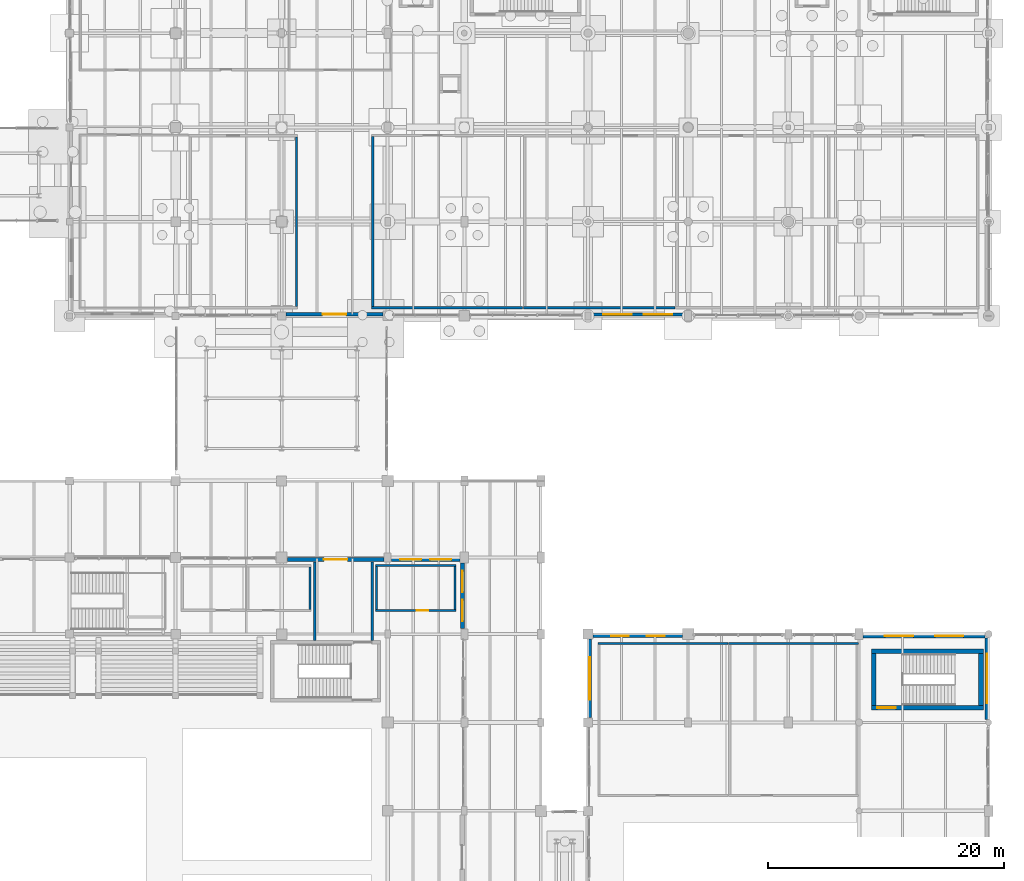
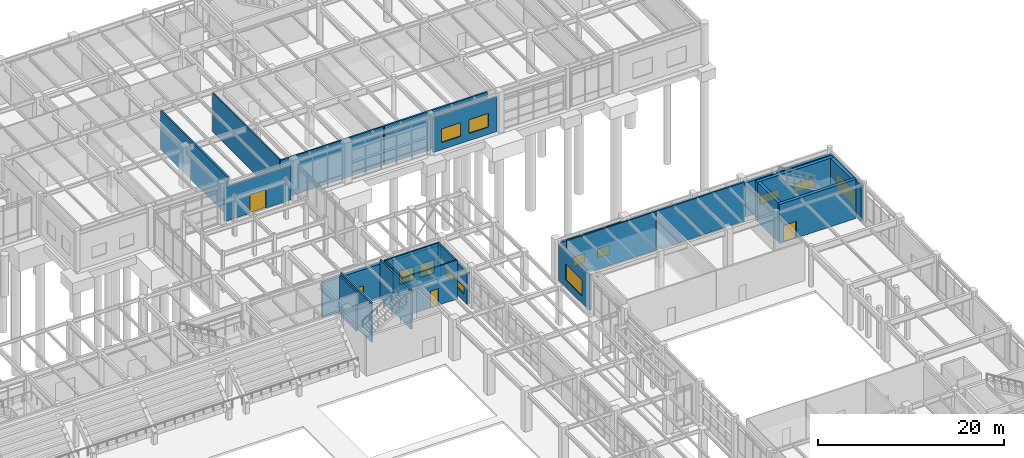
# One storey, part 181 of 203: 26 walls, 12 windows, 4 doors, 16 openings.
"""IFC4 building model written with IfcOpenShell, lengths in metres."""

from ifc_helpers import new_model, si_unit, direction, frame, frame_2d, origin, place, context, subcontext, project, spatial, rectangle, extrude, material, layer, layer_set, type_object, element, fill, save


model = new_model("IFC4")

# Units and contexts
model_context = context("Model", 3, precision=1e-05, world=origin(), true_north=direction((0.0, 1.0)))
body_context = subcontext(model_context, "Body", "Model", "MODEL_VIEW")
ifc_project = project(units=[si_unit("LENGTHUNIT", "METRE"), si_unit("AREAUNIT", "SQUARE_METRE"), si_unit("VOLUMEUNIT", "CUBIC_METRE"), si_unit("PLANEANGLEUNIT", "RADIAN"), si_unit("MASSUNIT", "GRAM", prefix="KILO"), si_unit("THERMODYNAMICTEMPERATUREUNIT", "KELVIN"), si_unit("POWERUNIT", "WATT")], contexts=[model_context])

# Site, building, storey
site_placement = place(None, origin())
site = spatial("IfcSite", under=ifc_project, at=site_placement, CompositionType="ELEMENT")
building_placement = place(site_placement, origin())
building = spatial("IfcBuilding", under=site, at=building_placement, Name="Tepalcoro Natatorium and Aquatics Centre", CompositionType="ELEMENT")
storey_placement = place(building_placement, origin())
storey = spatial("IfcBuildingStorey", under=building, at=storey_placement, Name="L00", CompositionType="ELEMENT", Elevation=0.0)

# Wall, openings, windows
ifc_material_1 = material(Name="Precast Concrete C45/55 (fc 45 MPa)", Category="concrete")
ifc_layer_1 = layer(ifc_material_1, 0.260009765625)
ifc_layer_set_1 = layer_set([ifc_layer_1], Name="Precast Concrete C45/55 (fc 45 MPa)")
wall_type_1 = type_object("IfcWallType", Name="WL_EXT_GABLE_260", PredefinedType="SOLIDWALL", material=ifc_layer_set_1)
wall_1_placement = place(storey_placement, frame((142.25390625, 86.1298828125, 0.0), z_axis=(0.0, 0.0, 1.0), x_axis=(1.0, 0.0, 0.0)))
wall_1 = element("IfcWall", 1, at=wall_1_placement, inside=storey, type_object=wall_type_1, Name="V5 L00 S Volcanic Basalt Envelope Wall", PredefinedType="SOLIDWALL", context=body_context, shape_type="SweptSolid", body=[
    extrude(rectangle(XDim=7.942138671875, YDim=0.260009765625, at=frame_2d((3.97119140625, 0.0))), origin(), (0.0, 0.0, 1.0), 4.573974609375),
])
opening_1_placement = place(wall_1_placement, frame((1.04736328125, 0.0, 0.949951171875)))
opening_1 = element("IfcOpeningElement", 2, at=opening_1_placement, cuts=wall_1, Name="Opening W0084A", PredefinedType="OPENING", context=body_context, shape_type="SweptSolid", body=[
    extrude(rectangle(XDim=2.39990234375, YDim=1.800048828125, at=frame_2d((1.199951171875, 0.89990234375))), frame((0.0, 0.14208984375, 0.0), z_axis=(0.0, -1.0, 0.0), x_axis=(1.0, 0.0, 0.0)), (0.0, 0.0, 1.0), 0.283935546875),
])
opening_2_placement = place(wall_1_placement, frame((4.49462890625, 0.0, 0.949951171875)))
opening_2 = element("IfcOpeningElement", 3, at=opening_2_placement, cuts=wall_1, Name="Opening W0084B", PredefinedType="OPENING", context=body_context, shape_type="SweptSolid", body=[
    extrude(rectangle(XDim=2.39990234375, YDim=1.800048828125, at=frame_2d((1.199951171875, 0.89990234375))), frame((0.0, 0.14208984375, 0.0), z_axis=(0.0, -1.0, 0.0), x_axis=(1.0, 0.0, 0.0)), (0.0, 0.0, 1.0), 0.283935546875),
])
ifc_material_2 = material(Name="Solar-Control Bronze Tempered Low-E Double Glazing", Category="glass")
window_type_1 = type_object("IfcWindowType", Name="WN_240x180", PartitioningType="SINGLE_PANEL", PredefinedType="WINDOW", material=ifc_material_2)
window_1_placement = place(opening_1_placement, origin())
window_1 = element("IfcWindow", 4, at=window_1_placement, inside=storey, type_object=window_type_1, Name="Exterior Thermal Window WN_240x180", OverallHeight=1.800048828125, OverallWidth=2.39990234375, PartitioningType="SINGLE_PANEL", PredefinedType="WINDOW", context=body_context, shape_type="SweptSolid", body=[
    extrude(rectangle(XDim=2.39990234375, YDim=1.800048828125, at=frame_2d((1.199951171875, 0.89990234375))), frame((0.0, 0.030029296875, 0.0), z_axis=(0.0, -1.0, 0.0), x_axis=(1.0, 0.0, 0.0)), (0.0, 0.0, 1.0), 0.06005859375),
])
fill(opening_1, window_1)
window_2_placement = place(opening_2_placement, origin())
window_2 = element("IfcWindow", 5, at=window_2_placement, inside=storey, type_object=window_type_1, Name="Exterior Thermal Window WN_240x180", OverallHeight=1.800048828125, OverallWidth=2.39990234375, PartitioningType="SINGLE_PANEL", PredefinedType="WINDOW", context=body_context, shape_type="SweptSolid", body=[
    extrude(rectangle(XDim=2.39990234375, YDim=1.800048828125, at=frame_2d((1.199951171875, 0.89990234375))), frame((0.0, 0.030029296875, 0.0), z_axis=(0.0, -1.0, 0.0), x_axis=(1.0, 0.0, 0.0)), (0.0, 0.0, 1.0), 0.06005859375),
])
fill(opening_2, window_2)

# Wall, opening, window
ifc_layer_2 = layer(ifc_material_1, 0.284912109375)
ifc_layer_set_2 = layer_set([ifc_layer_2], Name="Precast Concrete C45/55 (fc 45 MPa)")
wall_type_2 = type_object("IfcWallType", Name="WL_EXT_INSUL_280", PredefinedType="SOLIDWALL", material=ifc_layer_set_2)
wall_2_placement = place(storey_placement, frame((142.142578125, 51.904052734375, 0.0), z_axis=(0.0, 0.0, 1.0), x_axis=(0.0, 1.0, 0.0)))
wall_2 = element("IfcWall", 6, at=wall_2_placement, inside=storey, type_object=wall_type_2, Name="V2 L00 W Volcanic Basalt Envelope Wall", PredefinedType="SOLIDWALL", context=body_context, shape_type="SweptSolid", body=[
    extrude(rectangle(XDim=6.6669921875, YDim=0.284912109375, at=frame_2d((3.33349609375, 0.0))), origin(), (0.0, 0.0, 1.0), 4.697021484375),
])
opening_3_placement = place(wall_2_placement, frame((1.533447265625, 0.0, 0.949951171875)))
opening_3 = element("IfcOpeningElement", 7, at=opening_3_placement, cuts=wall_2, Name="Opening W0025", PredefinedType="OPENING", context=body_context, shape_type="SweptSolid", body=[
    extrude(rectangle(XDim=3.60009765625, YDim=2.10009765625, at=frame_2d((1.800048828125, 1.050048828125))), frame((0.0, 0.154296875, 0.0), z_axis=(0.0, -1.0, 0.0), x_axis=(1.0, 0.0, 0.0)), (0.0, 0.0, 1.0), 0.308837890625),
])
window_type_2 = type_object("IfcWindowType", Name="WN_360x210", PartitioningType="SINGLE_PANEL", PredefinedType="WINDOW", material=ifc_material_2)
window_3_placement = place(opening_3_placement, origin())
window_3 = element("IfcWindow", 8, at=window_3_placement, inside=storey, type_object=window_type_2, Name="Exterior Thermal Window WN_360x210", OverallHeight=2.10009765625, OverallWidth=3.60009765625, PartitioningType="SINGLE_PANEL", PredefinedType="WINDOW", context=body_context, shape_type="SweptSolid", body=[
    extrude(rectangle(XDim=3.60009765625, YDim=2.10009765625, at=frame_2d((1.800048828125, 1.050048828125))), frame((0.0, 0.030029296875, 0.0), z_axis=(0.0, -1.0, 0.0), x_axis=(1.0, 0.0, 0.0)), (0.0, 0.0, 1.0), 0.06005859375),
])
fill(opening_3, window_3)

# Wall, opening, door
wall_3_placement = place(storey_placement, frame((116.35400390625, 86.142578125, 0.0), z_axis=(0.0, 0.0, 1.0), x_axis=(1.0, 0.0, 0.0)))
wall_3 = element("IfcWall", 9, at=wall_3_placement, inside=storey, type_object=wall_type_2, Name="V5 L00 S Volcanic Basalt Envelope Wall", PredefinedType="SOLIDWALL", context=body_context, shape_type="SweptSolid", body=[
    extrude(rectangle(XDim=8.241943359375, YDim=0.284912109375, at=frame_2d((4.12109375, 0.0))), origin(), (0.0, 0.0, 1.0), 4.498046875),
])
opening_4_placement = place(wall_3_placement, frame((3.12109375, 0.0, 0.0)))
opening_4 = element("IfcOpeningElement", 10, at=opening_4_placement, cuts=wall_3, Name="Opening ED5039", PredefinedType="OPENING", context=body_context, shape_type="SweptSolid", body=[
    extrude(rectangle(XDim=2.0, YDim=2.39990234375, at=frame_2d((1.0, 1.199951171875))), frame((0.0, 0.154296875, 0.0), z_axis=(0.0, -1.0, 0.0), x_axis=(1.0, 0.0, 0.0)), (0.0, 0.0, 1.0), 0.308837890625),
])
ifc_material_3 = material(Name="Bronze-Anodised Extruded Aluminium Alloy EN AW-6063 T6", Category="aluminium")
door_type_1 = type_object("IfcDoorType", Name="DR_200x240_EXT", OperationType="NOTDEFINED", PredefinedType="DOOR", material=ifc_material_3)
door_1_placement = place(opening_4_placement, frame((2.0, 0.0, 0.0), z_axis=(0.0, 0.0, 1.0), x_axis=(-1.0, 0.0, 0.0)))
door_1 = element("IfcDoor", 11, at=door_1_placement, inside=storey, type_object=door_type_1, Name="V5 L00 South Courtyard Bridge Portal", OperationType="DOUBLE_DOOR_SINGLE_SWING", OverallHeight=2.39990234375, OverallWidth=2.0, PredefinedType="DOOR", context=body_context, shape_type="SweptSolid", body=[
    extrude(rectangle(XDim=2.0, YDim=2.39990234375, at=frame_2d((1.0, 1.199951171875))), frame((0.0, 0.02490234375, 0.0), z_axis=(0.0, -1.0, 0.0), x_axis=(1.0, 0.0, 0.0)), (0.0, 0.0, 1.0), 0.050048828125),
])
fill(opening_4, door_1)

# Wall, openings, windows
ifc_material_4 = material(Name="Jalisco Cantera Rosa Volcanic Tuff Ashlar Masonry", Category="masonry")
ifc_layer_3 = layer(ifc_material_4, 0.320068359375)
ifc_layer_set_3 = layer_set([ifc_layer_3], Name="Jalisco Cantera Rosa Volcanic Tuff Ashlar Masonry")
wall_type_3 = type_object("IfcWallType", Name="WL_EXT_STONE_320", PredefinedType="SOLIDWALL", material=ifc_layer_set_3)
wall_4_placement = place(storey_placement, frame((131.340087890625, 59.4541015625, 0.0), z_axis=(0.0, 0.0, 1.0), x_axis=(0.0, 1.0, 0.0)))
wall_4 = element("IfcWall", 12, at=wall_4_placement, inside=storey, type_object=wall_type_3, Name="V1 L00 E Volcanic Basalt Envelope Wall", PredefinedType="SOLIDWALL", context=body_context, shape_type="SweptSolid", body=[
    extrude(rectangle(XDim=5.56689453125, YDim=0.320068359375, at=frame_2d((2.783447265625, 0.0))), origin(), (0.0, 0.0, 1.0), 4.15087890625),
])
opening_5_placement = place(wall_4_placement, frame((0.65576171875, 0.0, 0.949951171875)))
opening_5 = element("IfcOpeningElement", 13, at=opening_5_placement, cuts=wall_4, Name="Opening W0012A", PredefinedType="OPENING", context=body_context, shape_type="SweptSolid", body=[
    extrude(rectangle(XDim=1.800048828125, YDim=0.89990234375, at=frame_2d((0.89990234375, 0.449951171875))), frame((0.0, 0.171875, 0.0), z_axis=(0.0, -1.0, 0.0), x_axis=(1.0, 0.0, 0.0)), (0.0, 0.0, 1.0), 0.343994140625),
])
opening_6_placement = place(wall_4_placement, frame((3.111328125, 0.0, 0.949951171875)))
opening_6 = element("IfcOpeningElement", 14, at=opening_6_placement, cuts=wall_4, Name="Opening W0012B", PredefinedType="OPENING", context=body_context, shape_type="SweptSolid", body=[
    extrude(rectangle(XDim=1.800048828125, YDim=0.89990234375, at=frame_2d((0.89990234375, 0.449951171875))), frame((0.0, 0.171875, 0.0), z_axis=(0.0, -1.0, 0.0), x_axis=(1.0, 0.0, 0.0)), (0.0, 0.0, 1.0), 0.343994140625),
])
window_type_3 = type_object("IfcWindowType", Name="WN_180x090_CLER", PartitioningType="SINGLE_PANEL", PredefinedType="WINDOW", material=ifc_material_2)
window_4_placement = place(opening_5_placement, origin())
window_4 = element("IfcWindow", 15, at=window_4_placement, inside=storey, type_object=window_type_3, Name="Exterior Thermal Window WN_180x090_CLER", OverallHeight=0.89990234375, OverallWidth=1.800048828125, PartitioningType="SINGLE_PANEL", PredefinedType="WINDOW", context=body_context, shape_type="SweptSolid", body=[
    extrude(rectangle(XDim=1.800048828125, YDim=0.89990234375, at=frame_2d((0.89990234375, 0.449951171875))), frame((0.0, 0.030029296875, 0.0), z_axis=(0.0, -1.0, 0.0), x_axis=(1.0, 0.0, 0.0)), (0.0, 0.0, 1.0), 0.06005859375),
])
fill(opening_5, window_4)
window_5_placement = place(opening_6_placement, origin())
window_5 = element("IfcWindow", 16, at=window_5_placement, inside=storey, type_object=window_type_3, Name="Exterior Thermal Window WN_180x090_CLER", OverallHeight=0.89990234375, OverallWidth=1.800048828125, PartitioningType="SINGLE_PANEL", PredefinedType="WINDOW", context=body_context, shape_type="SweptSolid", body=[
    extrude(rectangle(XDim=1.800048828125, YDim=0.89990234375, at=frame_2d((0.89990234375, 0.449951171875))), frame((0.0, 0.030029296875, 0.0), z_axis=(0.0, -1.0, 0.0), x_axis=(1.0, 0.0, 0.0)), (0.0, 0.0, 1.0), 0.06005859375),
])
fill(opening_6, window_5)

wall_5_placement = place(storey_placement, frame((165.35400390625, 58.840087890625, 0.0), z_axis=(0.0, 0.0, 1.0), x_axis=(1.0, 0.0, 0.0)))
wall_5 = element("IfcWall", 17, at=wall_5_placement, inside=storey, type_object=wall_type_3, Name="V2 L00 N Volcanic Basalt Envelope Wall", PredefinedType="SOLIDWALL", context=body_context, shape_type="SweptSolid", body=[
    extrude(rectangle(XDim=10.342041015625, YDim=0.320068359375, at=frame_2d((5.1708984375, 0.0))), origin(), (0.0, 0.0, 1.0), 4.498046875),
])
opening_7_placement = place(wall_5_placement, frame((1.847412109375, 0.0, 0.949951171875)))
opening_7 = element("IfcOpeningElement", 18, at=opening_7_placement, cuts=wall_5, Name="Opening W0023A", PredefinedType="OPENING", context=body_context, shape_type="SweptSolid", body=[
    extrude(rectangle(XDim=2.39990234375, YDim=1.199951171875, at=frame_2d((1.199951171875, 0.60009765625))), frame((0.0, 0.171875, 0.0), z_axis=(0.0, -1.0, 0.0), x_axis=(1.0, 0.0, 0.0)), (0.0, 0.0, 1.0), 0.343994140625),
])
opening_8_placement = place(wall_5_placement, frame((6.0947265625, 0.0, 0.949951171875)))
opening_8 = element("IfcOpeningElement", 19, at=opening_8_placement, cuts=wall_5, Name="Opening W0023B", PredefinedType="OPENING", context=body_context, shape_type="SweptSolid", body=[
    extrude(rectangle(XDim=2.39990234375, YDim=1.199951171875, at=frame_2d((1.199951171875, 0.60009765625))), frame((0.0, 0.171875, 0.0), z_axis=(0.0, -1.0, 0.0), x_axis=(1.0, 0.0, 0.0)), (0.0, 0.0, 1.0), 0.343994140625),
])
window_type_4 = type_object("IfcWindowType", Name="WN_240x120", PartitioningType="SINGLE_PANEL", PredefinedType="WINDOW", material=ifc_material_2)
window_6_placement = place(opening_7_placement, origin())
window_6 = element("IfcWindow", 20, at=window_6_placement, inside=storey, type_object=window_type_4, Name="Exterior Thermal Window WN_240x120", OverallHeight=1.199951171875, OverallWidth=2.39990234375, PartitioningType="SINGLE_PANEL", PredefinedType="WINDOW", context=body_context, shape_type="SweptSolid", body=[
    extrude(rectangle(XDim=2.39990234375, YDim=1.199951171875, at=frame_2d((1.199951171875, 0.60009765625))), frame((0.0, 0.030029296875, 0.0), z_axis=(0.0, -1.0, 0.0), x_axis=(1.0, 0.0, 0.0)), (0.0, 0.0, 1.0), 0.06005859375),
])
fill(opening_7, window_6)
window_7_placement = place(opening_8_placement, origin())
window_7 = element("IfcWindow", 21, at=window_7_placement, inside=storey, type_object=window_type_4, Name="Exterior Thermal Window WN_240x120", OverallHeight=1.199951171875, OverallWidth=2.39990234375, PartitioningType="SINGLE_PANEL", PredefinedType="WINDOW", context=body_context, shape_type="SweptSolid", body=[
    extrude(rectangle(XDim=2.39990234375, YDim=1.199951171875, at=frame_2d((1.199951171875, 0.60009765625))), frame((0.0, 0.030029296875, 0.0), z_axis=(0.0, -1.0, 0.0), x_axis=(1.0, 0.0, 0.0)), (0.0, 0.0, 1.0), 0.06005859375),
])
fill(opening_8, window_7)

# Wall, opening, door
ifc_material_5 = material(Name="Volcanic Recinto Basalt Ashlar Masonry", Category="masonry")
ifc_layer_4 = layer(ifc_material_5, 0.360107421875)
ifc_layer_set_4 = layer_set([ifc_layer_4], Name="Volcanic Recinto Basalt Ashlar Masonry")
wall_type_4 = type_object("IfcWallType", Name="WL_EXT_STONE_350", PredefinedType="SOLIDWALL", material=ifc_layer_set_4)
wall_6_placement = place(storey_placement, frame((116.47900390625, 65.320068359375, 0.0), z_axis=(0.0, 0.0, 1.0), x_axis=(1.0, 0.0, 0.0)))
wall_6 = element("IfcWall", 22, at=wall_6_placement, inside=storey, type_object=wall_type_4, Name="V1 L00 N Volcanic Basalt Envelope Wall", PredefinedType="SOLIDWALL", context=body_context, shape_type="SweptSolid", body=[
    extrude(rectangle(XDim=8.217041015625, YDim=0.360107421875, at=frame_2d((4.1083984375, 0.0))), origin(), (0.0, 0.0, 1.0), 4.537109375),
])
opening_9_placement = place(wall_6_placement, frame((3.1083984375, 0.0, 0.0)))
opening_9 = element("IfcOpeningElement", 23, at=opening_9_placement, cuts=wall_6, Name="Opening ED5006", PredefinedType="OPENING", context=body_context, shape_type="SweptSolid", body=[
    extrude(rectangle(XDim=2.0, YDim=2.39990234375, at=frame_2d((1.0, 1.199951171875))), frame((0.0, 0.19189453125, 0.0), z_axis=(0.0, -1.0, 0.0), x_axis=(1.0, 0.0, 0.0)), (0.0, 0.0, 1.0), 0.384033203125),
])
door_2_placement = place(opening_9_placement, origin())
door_2 = element("IfcDoor", 24, at=door_2_placement, inside=storey, type_object=door_type_1, Name="East Stair ST02 Final Exit Discharge", OperationType="DOUBLE_DOOR_SINGLE_SWING", OverallHeight=2.39990234375, OverallWidth=2.0, PredefinedType="DOOR", context=body_context, shape_type="SweptSolid", body=[
    extrude(rectangle(XDim=2.0, YDim=2.39990234375, at=frame_2d((1.0, 1.199951171875))), frame((0.0, 0.02490234375, 0.0), z_axis=(0.0, -1.0, 0.0), x_axis=(1.0, 0.0, 0.0)), (0.0, 0.0, 1.0), 0.050048828125),
])
fill(opening_9, door_2)

# Wall, openings, windows
wall_7_placement = place(storey_placement, frame((125.303955078125, 65.320068359375, 0.0), z_axis=(0.0, 0.0, 1.0), x_axis=(1.0, 0.0, 0.0)))
wall_7 = element("IfcWall", 25, at=wall_7_placement, inside=storey, type_object=wall_type_4, Name="V1 L00 N Volcanic Basalt Envelope Wall", PredefinedType="SOLIDWALL", context=body_context, shape_type="SweptSolid", body=[
    extrude(rectangle(XDim=5.842041015625, YDim=0.360107421875, at=frame_2d((2.9208984375, 0.0))), origin(), (0.0, 0.0, 1.0), 4.452880859375),
])
opening_10_placement = place(wall_7_placement, frame((0.747314453125, 0.0, 0.949951171875)))
opening_10 = element("IfcOpeningElement", 26, at=opening_10_placement, cuts=wall_7, Name="Opening W0006A", PredefinedType="OPENING", context=body_context, shape_type="SweptSolid", body=[
    extrude(rectangle(XDim=1.800048828125, YDim=1.800048828125, at=frame_2d((0.89990234375, 0.89990234375))), frame((0.0, 0.19189453125, 0.0), z_axis=(0.0, -1.0, 0.0), x_axis=(1.0, 0.0, 0.0)), (0.0, 0.0, 1.0), 0.384033203125),
])
opening_11_placement = place(wall_7_placement, frame((3.294677734375, 0.0, 0.949951171875)))
opening_11 = element("IfcOpeningElement", 27, at=opening_11_placement, cuts=wall_7, Name="Opening W0006B", PredefinedType="OPENING", context=body_context, shape_type="SweptSolid", body=[
    extrude(rectangle(XDim=1.800048828125, YDim=1.800048828125, at=frame_2d((0.89990234375, 0.89990234375))), frame((0.0, 0.19189453125, 0.0), z_axis=(0.0, -1.0, 0.0), x_axis=(1.0, 0.0, 0.0)), (0.0, 0.0, 1.0), 0.384033203125),
])
window_type_5 = type_object("IfcWindowType", Name="WN_180x180", PartitioningType="SINGLE_PANEL", PredefinedType="WINDOW", material=ifc_material_2)
window_8_placement = place(opening_10_placement, origin())
window_8 = element("IfcWindow", 28, at=window_8_placement, inside=storey, type_object=window_type_5, Name="Exterior Thermal Window WN_180x180", OverallHeight=1.800048828125, OverallWidth=1.800048828125, PartitioningType="SINGLE_PANEL", PredefinedType="WINDOW", context=body_context, shape_type="SweptSolid", body=[
    extrude(rectangle(XDim=1.800048828125, YDim=1.800048828125, at=frame_2d((0.89990234375, 0.89990234375))), frame((0.0, 0.030029296875, 0.0), z_axis=(0.0, -1.0, 0.0), x_axis=(1.0, 0.0, 0.0)), (0.0, 0.0, 1.0), 0.06005859375),
])
fill(opening_10, window_8)
window_9_placement = place(opening_11_placement, origin())
window_9 = element("IfcWindow", 29, at=window_9_placement, inside=storey, type_object=window_type_5, Name="Exterior Thermal Window WN_180x180", OverallHeight=1.800048828125, OverallWidth=1.800048828125, PartitioningType="SINGLE_PANEL", PredefinedType="WINDOW", context=body_context, shape_type="SweptSolid", body=[
    extrude(rectangle(XDim=1.800048828125, YDim=1.800048828125, at=frame_2d((0.89990234375, 0.89990234375))), frame((0.0, 0.030029296875, 0.0), z_axis=(0.0, -1.0, 0.0), x_axis=(1.0, 0.0, 0.0)), (0.0, 0.0, 1.0), 0.06005859375),
])
fill(opening_11, window_9)

ifc_layer_5 = layer(ifc_material_4, 0.304931640625)
ifc_layer_set_5 = layer_set([ifc_layer_5], Name="Jalisco Cantera Rosa Volcanic Tuff Ashlar Masonry")
wall_type_5 = type_object("IfcWallType", Name="WL_EXT_TERRACOTTA_300", PredefinedType="SOLIDWALL", material=ifc_layer_set_5)
wall_8_placement = place(storey_placement, frame((142.428955078125, 58.847412109375, 0.0), z_axis=(0.0, 0.0, 1.0), x_axis=(1.0, 0.0, 0.0)))
wall_8 = element("IfcWall", 30, at=wall_8_placement, inside=storey, type_object=wall_type_5, Name="V2 L00 N Volcanic Basalt Envelope Wall", PredefinedType="SOLIDWALL", context=body_context, shape_type="SweptSolid", body=[
    extrude(rectangle(XDim=7.592041015625, YDim=0.304931640625, at=frame_2d((3.7958984375, 0.0))), origin(), (0.0, 0.0, 1.0), 4.697021484375),
])
opening_12_placement = place(wall_8_placement, frame((1.53076171875, 0.0, 0.949951171875)))
opening_12 = element("IfcOpeningElement", 31, at=opening_12_placement, cuts=wall_8, Name="Opening W0022A", PredefinedType="OPENING", context=body_context, shape_type="SweptSolid", body=[
    extrude(rectangle(XDim=1.5, YDim=1.199951171875, at=frame_2d((0.75, 0.60009765625))), frame((0.0, 0.16455078125, 0.0), z_axis=(0.0, -1.0, 0.0), x_axis=(1.0, 0.0, 0.0)), (0.0, 0.0, 1.0), 0.328857421875),
])
opening_13_placement = place(wall_8_placement, frame((4.561279296875, 0.0, 0.949951171875)))
opening_13 = element("IfcOpeningElement", 32, at=opening_13_placement, cuts=wall_8, Name="Opening W0022B", PredefinedType="OPENING", context=body_context, shape_type="SweptSolid", body=[
    extrude(rectangle(XDim=1.5, YDim=1.199951171875, at=frame_2d((0.75, 0.60009765625))), frame((0.0, 0.16455078125, 0.0), z_axis=(0.0, -1.0, 0.0), x_axis=(1.0, 0.0, 0.0)), (0.0, 0.0, 1.0), 0.328857421875),
])
window_type_6 = type_object("IfcWindowType", Name="WN_150x120", PartitioningType="SINGLE_PANEL", PredefinedType="WINDOW", material=ifc_material_2)
window_10_placement = place(opening_12_placement, origin())
window_10 = element("IfcWindow", 33, at=window_10_placement, inside=storey, type_object=window_type_6, Name="Exterior Thermal Window WN_150x120", OverallHeight=1.199951171875, OverallWidth=1.5, PartitioningType="SINGLE_PANEL", PredefinedType="WINDOW", context=body_context, shape_type="SweptSolid", body=[
    extrude(rectangle(XDim=1.5, YDim=1.199951171875, at=frame_2d((0.75, 0.60009765625))), frame((0.0, 0.030029296875, 0.0), z_axis=(0.0, -1.0, 0.0), x_axis=(1.0, 0.0, 0.0)), (0.0, 0.0, 1.0), 0.06005859375),
])
fill(opening_12, window_10)
window_11_placement = place(opening_13_placement, origin())
window_11 = element("IfcWindow", 34, at=window_11_placement, inside=storey, type_object=window_type_6, Name="Exterior Thermal Window WN_150x120", OverallHeight=1.199951171875, OverallWidth=1.5, PartitioningType="SINGLE_PANEL", PredefinedType="WINDOW", context=body_context, shape_type="SweptSolid", body=[
    extrude(rectangle(XDim=1.5, YDim=1.199951171875, at=frame_2d((0.75, 0.60009765625))), frame((0.0, 0.030029296875, 0.0), z_axis=(0.0, -1.0, 0.0), x_axis=(1.0, 0.0, 0.0)), (0.0, 0.0, 1.0), 0.06005859375),
])
fill(opening_13, window_11)

# Wall, opening, window
wall_9_placement = place(storey_placement, frame((175.847412109375, 51.75390625, 0.0), z_axis=(0.0, 0.0, 1.0), x_axis=(0.0, 1.0, 0.0)))
wall_9 = element("IfcWall", 35, at=wall_9_placement, inside=storey, type_object=wall_type_5, Name="V2 L00 E Volcanic Basalt Envelope Wall", PredefinedType="SOLIDWALL", context=body_context, shape_type="SweptSolid", body=[
    extrude(rectangle(XDim=6.922119140625, YDim=0.304931640625, at=frame_2d((3.4609375, 0.0))), origin(), (0.0, 0.0, 1.0), 4.697021484375),
])
opening_14_placement = place(wall_9_placement, frame((1.361083984375, 0.0, 0.949951171875)))
opening_14 = element("IfcOpeningElement", 36, at=opening_14_placement, cuts=wall_9, Name="Opening W0026", PredefinedType="OPENING", context=body_context, shape_type="SweptSolid", body=[
    extrude(rectangle(XDim=4.199951171875, YDim=2.10009765625, at=frame_2d((2.10009765625, 1.050048828125))), frame((0.0, 0.16455078125, 0.0), z_axis=(0.0, -1.0, 0.0), x_axis=(1.0, 0.0, 0.0)), (0.0, 0.0, 1.0), 0.328857421875),
])
window_type_7 = type_object("IfcWindowType", Name="WN_420x210", PartitioningType="SINGLE_PANEL", PredefinedType="WINDOW", material=ifc_material_2)
window_12_placement = place(opening_14_placement, origin())
window_12 = element("IfcWindow", 37, at=window_12_placement, inside=storey, type_object=window_type_7, Name="Exterior Thermal Window WN_420x210", OverallHeight=2.10009765625, OverallWidth=4.199951171875, PartitioningType="SINGLE_PANEL", PredefinedType="WINDOW", context=body_context, shape_type="SweptSolid", body=[
    extrude(rectangle(XDim=4.199951171875, YDim=2.10009765625, at=frame_2d((2.10009765625, 1.050048828125))), frame((0.0, 0.030029296875, 0.0), z_axis=(0.0, -1.0, 0.0), x_axis=(1.0, 0.0, 0.0)), (0.0, 0.0, 1.0), 0.06005859375),
])
fill(opening_14, window_12)

# Wall, opening, door
ifc_material_6 = material(Name="Moisture-Resistant Acoustic Gypsum Drywall on Cold-Formed Metal Studs")
ifc_layer_6 = layer(ifc_material_6, 0.179931640625)
ifc_layer_set_6 = layer_set([ifc_layer_6], Name="Moisture-Resistant Acoustic Gypsum Drywall on Cold-Formed Metal Studs")
wall_type_6 = type_object("IfcWallType", Name="WL_PART_180_AC", PredefinedType="PARTITIONING", material=ifc_layer_set_6)
wall_10_placement = place(storey_placement, frame((123.949951171875, 60.989990234375, 0.0), z_axis=(0.0, 0.0, 1.0), x_axis=(1.0, 0.0, 0.0)))
wall_10 = element("IfcWall", 38, at=wall_10_placement, inside=storey, type_object=wall_type_6, Name="Referees & Technical Officials Robing Room Partition S", PredefinedType="PARTITIONING", context=body_context, shape_type="SweptSolid", body=[
    extrude(rectangle(XDim=6.85009765625, YDim=0.179931640625, at=frame_2d((3.425048828125, 0.0))), origin(), (0.0, 0.0, 1.0), 5.125),
])
opening_15_placement = place(wall_10_placement, frame((3.4951171875, 0.0, 0.0)))
opening_15 = element("IfcOpeningElement", 39, at=opening_15_placement, cuts=wall_10, Name="Opening D0084", PredefinedType="OPENING", context=body_context, shape_type="SweptSolid", body=[
    extrude(rectangle(XDim=1.0, YDim=2.199951171875, at=frame_2d((0.5, 1.10009765625))), frame((0.0, 0.10205078125, 0.0), z_axis=(0.0, -1.0, 0.0), x_axis=(1.0, 0.0, 0.0)), (0.0, 0.0, 1.0), 0.203857421875),
])
ifc_material_7 = material(Name="Galvanised Steel Insulated Acoustic Fire Door Assembly", Category="steel")
door_type_2 = type_object("IfcDoorType", Name="DR_100x220_FD60", OperationType="NOTDEFINED", PredefinedType="DOOR", material=ifc_material_7)
door_3_placement = place(opening_15_placement, origin())
door_3 = element("IfcDoor", 40, at=door_3_placement, inside=storey, type_object=door_type_2, Name="Referees & Technical Officials Robing Room Door", OperationType="SINGLE_SWING_RIGHT", OverallHeight=2.199951171875, OverallWidth=1.0, PredefinedType="DOOR", context=body_context, shape_type="SweptSolid", body=[
    extrude(rectangle(XDim=1.0, YDim=2.199951171875, at=frame_2d((0.5, 1.10009765625))), frame((0.0, 0.02490234375, 0.0), z_axis=(0.0, -1.0, 0.0), x_axis=(1.0, 0.0, 0.0)), (0.0, 0.0, 1.0), 0.050048828125),
])
fill(opening_15, door_3)

# Walls
wall_11_placement = place(storey_placement, frame((123.949951171875, 64.81005859375, 0.0), z_axis=(0.0, 0.0, 1.0), x_axis=(1.0, 0.0, 0.0)))
element("IfcWall", 41, at=wall_11_placement, inside=storey, type_object=wall_type_6, Name="Referees & Technical Officials Robing Room Partition N", PredefinedType="PARTITIONING", context=body_context, shape_type="SweptSolid", body=[
    extrude(rectangle(XDim=6.85009765625, YDim=0.179931640625, at=frame_2d((3.425048828125, 0.0))), origin(), (0.0, 0.0, 1.0), 5.125),
])
for number, where, z_axis, x_axis, name in (
    (42, (130.7099609375, 61.080078125, 0.0), (0.0, 0.0, 1.0), (0.0, 1.0, 0.0), "Referees & Technical Officials Robing Room Partition E"),
    (43, (124.0400390625, 61.080078125, 0.0), (0.0, 0.0, 1.0), (0.0, 1.0, 0.0), "Referees & Technical Officials Robing Room Partition W"),
):
    element("IfcWall", number, at=place(storey_placement, frame(where, z_axis=z_axis, x_axis=x_axis)), inside=storey, type_object=wall_type_6, Name=name, PredefinedType="PARTITIONING", context=body_context, shape_type="SweptSolid", body=[
        extrude(rectangle(XDim=3.639892578125, YDim=0.179931640625, at=frame_2d((1.81982421875, 0.0))), origin(), (0.0, 0.0, 1.0), 5.125),
    ])
wall_12_placement = place(storey_placement, frame((142.840087890625, 58.2099609375, 0.0), z_axis=(0.0, 0.0, 1.0), x_axis=(1.0, 0.0, 0.0)))
element("IfcWall", 44, at=wall_12_placement, inside=storey, type_object=wall_type_6, Name="Diving Judges & Scoring Control Room Partition N", PredefinedType="PARTITIONING", context=body_context, shape_type="SweptSolid", body=[
    extrude(rectangle(XDim=11.02001953125, YDim=0.179931640625, at=frame_2d((5.510009765625, 0.0))), origin(), (0.0, 0.0, 1.0), 5.125),
])
wall_13_placement = place(storey_placement, frame((123.639892578125, 86.68994140625, 0.0), z_axis=(0.0, 0.0, 1.0), x_axis=(1.0, 0.0, 0.0)))
element("IfcWall", 45, at=wall_13_placement, inside=storey, type_object=wall_type_6, Name="Media Mixed-Zone & Press Interview Theatre Partition S", PredefinedType="PARTITIONING", context=body_context, shape_type="SweptSolid", body=[
    extrude(rectangle(XDim=12.820068359375, YDim=0.179931640625, at=frame_2d((6.41015625, 0.0))), origin(), (0.0, 0.0, 1.0), 5.125),
])
wall_14_placement = place(storey_placement, frame((123.72998046875, 86.780029296875, 0.0), z_axis=(0.0, 0.0, 1.0), x_axis=(0.0, 1.0, 0.0)))
element("IfcWall", 46, at=wall_14_placement, inside=storey, type_object=wall_type_6, Name="Media Mixed-Zone & Press Interview Theatre Partition W", PredefinedType="PARTITIONING", context=body_context, shape_type="SweptSolid", body=[
    extrude(rectangle(XDim=14.43994140625, YDim=0.179931640625, at=frame_2d((7.219970703125, 0.0))), origin(), (0.0, 0.0, 1.0), 5.125),
])
ifc_material_8 = material(Name="Ceramic-Tiled Moisture-Resistant Masonry Blockwork", Category="masonry")
ifc_layer_7 = layer(ifc_material_8, 0.199951171875)
ifc_layer_set_7 = layer_set([ifc_layer_7], Name="Ceramic-Tiled Moisture-Resistant Masonry Blockwork")
wall_type_7 = type_object("IfcWallType", Name="WL_PLUMB_200", PredefinedType="PLUMBINGWALL", material=ifc_layer_set_7)
wall_15_placement = place(storey_placement, frame((118.409912109375, 61.10009765625, 0.0), z_axis=(0.0, 0.0, 1.0), x_axis=(0.0, 1.0, 0.0)))
element("IfcWall", 47, at=wall_15_placement, inside=storey, type_object=wall_type_7, Name="Pre-Swim Cleansing Showers & Accessible Changing East Partition E", PredefinedType="PLUMBINGWALL", context=body_context, shape_type="SweptSolid", body=[
    extrude(rectangle(XDim=3.599853515625, YDim=0.199951171875, at=frame_2d((1.7998046875, 0.0))), origin(), (0.0, 0.0, 1.0), 5.125),
])
wall_16_placement = place(storey_placement, frame((153.93994140625, 58.199951171875, 0.0), z_axis=(0.0, 0.0, 1.0), x_axis=(1.0, 0.0, 0.0)))
element("IfcWall", 48, at=wall_16_placement, inside=storey, type_object=wall_type_7, Name="Diving Pavilion Male & Female Toilets Partition N", PredefinedType="PLUMBINGWALL", context=body_context, shape_type="SweptSolid", body=[
    extrude(rectangle(XDim=11.02001953125, YDim=0.199951171875, at=frame_2d((5.510009765625, 0.0))), origin(), (0.0, 0.0, 1.0), 5.125),
])

# Wall, opening, door
ifc_material_9 = material(Name="Concrete C40/50 (fc 40 MPa)", Category="concrete")
ifc_layer_8 = layer(ifc_material_9, 0.39990234375)
ifc_layer_set_8 = layer_set([ifc_layer_8], Name="Concrete C40/50 (fc 40 MPa)")
wall_type_8 = type_object("IfcWallType", Name="WL_SHEAR_400", PredefinedType="SHEAR", material=ifc_layer_set_8)
wall_17_placement = place(storey_placement, frame((166.050048828125, 52.75, 0.0), z_axis=(0.0, 0.0, 1.0), x_axis=(1.0, 0.0, 0.0)))
wall_17 = element("IfcWall", 49, at=wall_17_placement, inside=storey, type_object=wall_type_8, Name="ST04 Core Shear Wall S L00", PredefinedType="SHEAR", context=body_context, shape_type="SweptSolid", body=[
    extrude(rectangle(XDim=9.5, YDim=0.39990234375, at=frame_2d((4.75, 0.0))), origin(), (0.0, 0.0, 1.0), 5.139892578125),
])
opening_16_placement = place(wall_17_placement, frame((0.47998046875, 0.0, 0.0)))
opening_16 = element("IfcOpeningElement", 50, at=opening_16_placement, cuts=wall_17, Name="Opening D0017", PredefinedType="OPENING", context=body_context, shape_type="SweptSolid", body=[
    extrude(rectangle(XDim=1.60009765625, YDim=2.199951171875, at=frame_2d((0.800048828125, 1.10009765625))), frame((0.0, 0.2119140625, 0.0), z_axis=(0.0, -1.0, 0.0), x_axis=(1.0, 0.0, 0.0)), (0.0, 0.0, 1.0), 0.423828125),
])
door_type_3 = type_object("IfcDoorType", Name="DR_160x220_FD90", OperationType="NOTDEFINED", PredefinedType="DOOR", material=ifc_material_7)
door_4_placement = place(opening_16_placement, frame((1.60009765625, 0.0, 0.0), z_axis=(0.0, 0.0, 1.0), x_axis=(-1.0, 0.0, 0.0)))
door_4 = element("IfcDoor", 51, at=door_4_placement, inside=storey, type_object=door_type_3, Name="ST04 Fire Stair Door (L00)", OperationType="DOUBLE_DOOR_SINGLE_SWING", OverallHeight=2.199951171875, OverallWidth=1.60009765625, PredefinedType="DOOR", context=body_context, shape_type="SweptSolid", body=[
    extrude(rectangle(XDim=1.60009765625, YDim=2.199951171875, at=frame_2d((0.800048828125, 1.10009765625))), frame((0.0, 0.02490234375, 0.0), z_axis=(0.0, -1.0, 0.0), x_axis=(1.0, 0.0, 0.0)), (0.0, 0.0, 1.0), 0.050048828125),
])
fill(opening_16, door_4)

# Walls
wall_18_placement = place(storey_placement, frame((166.050048828125, 57.550048828125, 0.0), z_axis=(0.0, 0.0, 1.0), x_axis=(1.0, 0.0, 0.0)))
element("IfcWall", 52, at=wall_18_placement, inside=storey, type_object=wall_type_8, Name="ST04 Core Shear Wall N L00", PredefinedType="SHEAR", context=body_context, shape_type="SweptSolid", body=[
    extrude(rectangle(XDim=9.5, YDim=0.39990234375, at=frame_2d((4.75, 0.0))), origin(), (0.0, 0.0, 1.0), 5.139892578125),
])
for number, where, z_axis, x_axis, name in (
    (53, (166.25, 52.949951171875, 0.0), (0.0, 0.0, 1.0), (0.0, 1.0, 0.0), "ST04 Core Shear Wall W L00"),
    (54, (175.35009765625, 52.949951171875, 0.0), (0.0, 0.0, 1.0), (0.0, 1.0, 0.0), "ST04 Core Shear Wall E L00"),
):
    element("IfcWall", number, at=place(storey_placement, frame(where, z_axis=z_axis, x_axis=x_axis)), inside=storey, type_object=wall_type_8, Name=name, PredefinedType="SHEAR", context=body_context, shape_type="SweptSolid", body=[
        extrude(rectangle(XDim=4.400146484375, YDim=0.39990234375, at=frame_2d((2.2001953125, 0.0))), origin(), (0.0, 0.0, 1.0), 5.139892578125),
    ])
ifc_material_10 = material(Name="Concrete C35/45 (fc 35 MPa)", Category="concrete")
ifc_layer_9 = layer(ifc_material_10, 0.205078125)
ifc_layer_set_9 = layer_set([ifc_layer_9], Name="Concrete C35/45 (fc 35 MPa)")
wall_type_9 = type_object("IfcWallType", Name="WL_SOLID_200_FR120", PredefinedType="SOLIDWALL", material=ifc_layer_set_9)
for number, where, z_axis, x_axis, name in (
    (55, (118.800048828125, 58.469970703125, 0.0), (0.0, 0.0, 1.0), (0.0, 1.0, 0.0), "Protected Exit Discharge Passageway EI 120 Wall"),
    (56, (123.699951171875, 58.469970703125, 0.0), (0.0, 0.0, 1.0), (0.0, 1.0, 0.0), "Protected Exit Discharge Passageway EI 120 Wall"),
):
    element("IfcWall", number, at=place(storey_placement, frame(where, z_axis=z_axis, x_axis=x_axis)), inside=storey, type_object=wall_type_9, Name=name, PredefinedType="SOLIDWALL", context=body_context, shape_type="SweptSolid", body=[
        extrude(rectangle(XDim=6.650146484375, YDim=0.205078125, at=frame_2d((3.3251953125, 0.0))), origin(), (0.0, 0.0, 1.0), 5.139892578125),
    ])
wall_19_placement = place(storey_placement, frame((117.257568359375, 86.804931640625, 0.0), z_axis=(0.0, 0.0, 1.0), x_axis=(0.0, 1.0, 0.0)))
element("IfcWall", 57, at=wall_19_placement, inside=storey, type_object=wall_type_9, Name="Commercial Catering Kitchen & Cold Larder Partition E", PredefinedType="SOLIDWALL", context=body_context, shape_type="SweptSolid", body=[
    extrude(rectangle(XDim=14.39013671875, YDim=0.205078125, at=frame_2d((7.195068359375, 0.0))), origin(), (0.0, 0.0, 1.0), 5.125),
])
wall_20_placement = place(storey_placement, frame((136.5400390625, 86.702392578125, 0.0), z_axis=(0.0, 0.0, 1.0), x_axis=(1.0, 0.0, 0.0)))
element("IfcWall", 58, at=wall_20_placement, inside=storey, type_object=wall_type_9, Name="Broadcast Compound & OB Van Patch Room Partition S", PredefinedType="SOLIDWALL", context=body_context, shape_type="SweptSolid", body=[
    extrude(rectangle(XDim=12.820068359375, YDim=0.205078125, at=frame_2d((6.41015625, 0.0))), origin(), (0.0, 0.0, 1.0), 5.125),
])

save(model, "model.ifc")
